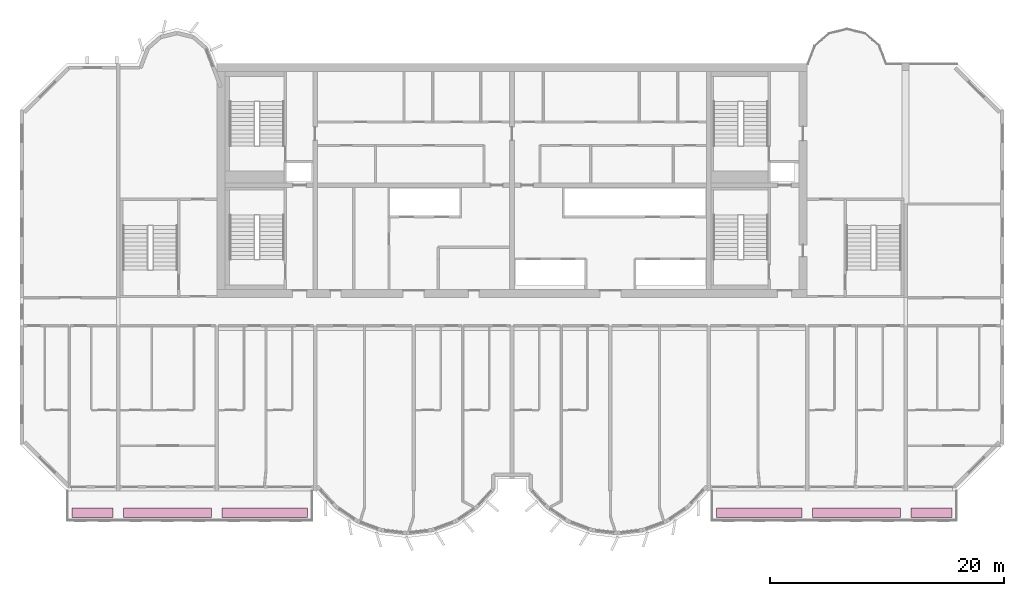
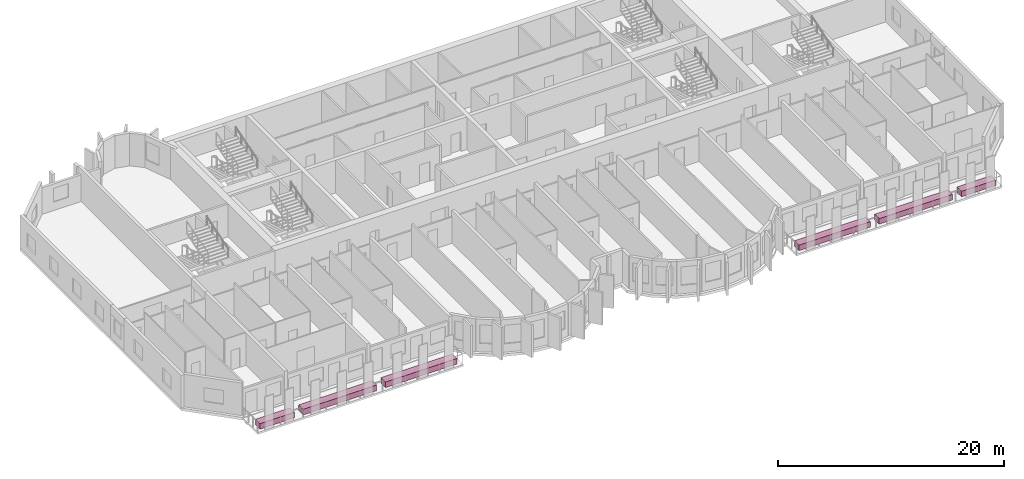
# One storey, part 13 of 13: 6 furniture elements.
"""IFC4 building model written with IfcOpenShell, lengths in metres."""

import ifcopenshell
import ifcopenshell.guid

model = None  # the IFC model being written
_history = None  # IfcOwnerHistory: only IFC2X3 demands one
_inside = {}  # id of a spatial element -> (the spatial element, [elements in it])
_under = {}  # id of a project, library or spatial element -> (it, [spatial elements below it])
_declared = {}  # id of a project -> (the project, [libraries it declares])
_typed = {}  # id of a type object -> (the type object, [elements of that type])
_made_of = {}  # id of a material, layer set ... -> (it, [elements and type objects made of it])


def new_model(schema):
    """Start an empty IFC model of exactly this schema.

    Asked for "IFC4X3", IfcOpenShell would pick the latest addendum, in which some entities
    have other attributes; the version numbers below select the first issue.
    IFC2X3 requires an IfcOwnerHistory on every rooted entity: one is made here for all.
    """
    global model, _history
    if schema == "IFC4X3":
        model = ifcopenshell.file(schema_version=(4, 3, 0, 0))
    else:
        model = ifcopenshell.file(schema=schema)
    _inside.clear()
    _under.clear()
    _declared.clear()
    _typed.clear()
    _made_of.clear()
    _history = None
    if model.schema == "IFC2X3":
        org = make("IfcOrganization", Name="unknown")
        user = make(
            "IfcPersonAndOrganization",
            ThePerson=make("IfcPerson", FamilyName="unknown"),
            TheOrganization=org,
        )
        app = make(
            "IfcApplication",
            ApplicationDeveloper=org,
            Version="unknown",
            ApplicationFullName="unknown",
            ApplicationIdentifier="unknown",
        )
        _history = make(
            "IfcOwnerHistory",
            OwningUser=user,
            OwningApplication=app,
            ChangeAction="ADDED",
            CreationDate=0,
        )
    return model


def make(cls, **values):
    """One entity of the class cls with the attributes given. An attribute that is None is left unset."""
    return model.create_entity(
        cls, **{name: value for name, value in values.items() if value is not None}
    )


def rooted(cls, **values):
    """An entity with a GlobalId (a new one), such as an element, a storey or a relation."""
    return make(cls, GlobalId=ifcopenshell.guid.new(), OwnerHistory=_history, **values)


def si_unit(unit_type, name, prefix=None):
    """IfcSIUnit, for example si_unit("LENGTHUNIT", "METRE", prefix="MILLI")."""
    return make("IfcSIUnit", UnitType=unit_type, Prefix=prefix, Name=name)


def assignment(units):
    """IfcUnitAssignment: the units of a project."""
    return None if units is None else make("IfcUnitAssignment", Units=units)


def point(xyz):
    """IfcCartesianPoint."""
    return None if xyz is None else make("IfcCartesianPoint", Coordinates=xyz)


def direction(xyz):
    """IfcDirection."""
    return None if xyz is None else make("IfcDirection", DirectionRatios=xyz)


def frame(location, z_axis=None, x_axis=None):
    """IfcAxis2Placement3D, a coordinate frame: its origin and axes. An axis left out is left unset."""
    return make(
        "IfcAxis2Placement3D",
        Location=point(location),
        Axis=direction(z_axis),
        RefDirection=direction(x_axis),
    )


def frame_2d(location, x_axis=None):
    """IfcAxis2Placement2D, a coordinate frame in the plane: its origin and x axis."""
    return make(
        "IfcAxis2Placement2D", Location=point(location), RefDirection=direction(x_axis)
    )


def origin():
    """The frame at (0, 0, 0) with its axes left unset."""
    return frame((0.0, 0.0, 0.0))


def origin_2d():
    """The frame at (0, 0) in the plane with its x axis left unset."""
    return frame_2d((0.0, 0.0))


def place(relative_to, where):
    """IfcLocalPlacement: puts the frame where relative to a parent placement (None: the world)."""
    return make(
        "IfcLocalPlacement", PlacementRelTo=relative_to, RelativePlacement=where
    )


def context(
    kind, dimensions, precision=None, world=None, true_north=None, identifier=None
):
    """IfcGeometricRepresentationContext, for example the 3D "Model" context."""
    return make(
        "IfcGeometricRepresentationContext",
        ContextIdentifier=identifier,
        ContextType=kind,
        CoordinateSpaceDimension=dimensions,
        Precision=precision,
        WorldCoordinateSystem=world,
        TrueNorth=true_north,
    )


def subcontext(parent, identifier, kind, view, scale=None):
    """IfcGeometricRepresentationSubContext, for example "Body" below "Model"."""
    return make(
        "IfcGeometricRepresentationSubContext",
        ContextIdentifier=identifier,
        ContextType=kind,
        ParentContext=parent,
        TargetScale=scale,
        TargetView=view,
    )


def project(units=None, contexts=None):
    """IfcProject with its units and contexts."""
    return rooted(
        "IfcProject",
        Name="project",
        RepresentationContexts=contexts,
        UnitsInContext=assignment(units),
    )


def spatial(cls, under=None, at=None, **own):
    """A site, building, storey or space (cls), placed at a placement, below another one or the project."""
    s = rooted(cls, ObjectPlacement=at, **own)
    if under is not None:
        _under.setdefault(under.id(), (under, []))[1].append(s)
    return s


def profile(cls, at=None, kind="AREA", **sizes):
    """A parametric profile (cls). Its sizes go by their IFC names, for example OverallWidth=200.0."""
    return make(cls, ProfileType=kind, Position=at, **sizes)


def rectangle(**sizes):
    """IfcRectangleProfileDef."""
    return profile("IfcRectangleProfileDef", **sizes)


def extrude(swept, where, along, depth):
    """IfcExtrudedAreaSolid: the profile swept, set in the frame where, extruded along a direction by depth."""
    return make(
        "IfcExtrudedAreaSolid",
        SweptArea=swept,
        Position=where,
        ExtrudedDirection=direction(along),
        Depth=depth,
    )


def shape(context_of_items, identifier, shape_type, items):
    """IfcShapeRepresentation: the items that make up one representation, for example the "Body"."""
    return make(
        "IfcShapeRepresentation",
        ContextOfItems=context_of_items,
        RepresentationIdentifier=identifier,
        RepresentationType=shape_type,
        Items=items,
    )


def source(mapping_origin, context_of_items, identifier, shape_type, items):
    """IfcRepresentationMap: a shape defined once, which mapped items show again and again."""
    return make(
        "IfcRepresentationMap",
        MappingOrigin=mapping_origin,
        MappedRepresentation=shape(context_of_items, identifier, shape_type, items),
    )


def transform(
    local_origin,
    x_axis=None,
    y_axis=None,
    z_axis=None,
    scale=None,
    scale2=None,
    scale3=None,
    uniform=True,
):
    """IfcCartesianTransformationOperator3D, or its non-uniform kind. x_axis, y_axis, z_axis: its Axis1, 2, 3."""
    if uniform:
        return make(
            "IfcCartesianTransformationOperator3D",
            Axis1=direction(x_axis),
            Axis2=direction(y_axis),
            LocalOrigin=point(local_origin),
            Scale=scale,
            Axis3=direction(z_axis),
        )
    return make(
        "IfcCartesianTransformationOperator3DnonUniform",
        Axis1=direction(x_axis),
        Axis2=direction(y_axis),
        LocalOrigin=point(local_origin),
        Scale=scale,
        Axis3=direction(z_axis),
        Scale2=scale2,
        Scale3=scale3,
    )


def mapped(mapping_source, mapping_target):
    """IfcMappedItem: shows the shape of a source again, moved by a transform."""
    return make(
        "IfcMappedItem", MappingSource=mapping_source, MappingTarget=mapping_target
    )


def material(Name=None, Category=None):
    """IfcMaterial."""
    return make("IfcMaterial", Name=Name, Category=Category)


def made_of(thing, what):
    """Note that an element or type object is made of a material, layer set ...; save() writes the relation."""
    if what is not None:
        _made_of.setdefault(what.id(), (what, []))[1].append(thing)
    return thing


def type_object(cls, material=None, **own):
    """A type object (cls), such as IfcWallType, which elements share."""
    return made_of(rooted(cls, **own), material)


def element(
    cls,
    number,
    at=None,
    inside=None,
    cuts=None,
    type_object=None,
    material=None,
    context=None,
    identifier="Body",
    shape_type=None,
    held_by="IfcProductDefinitionShape",
    body=None,
    shapes=None,
    **own,
):
    """One element of the class cls, such as IfcWall. Its Tag is "e" and its number.

    at: its placement. inside: the storey or other place that contains it. cuts: it is an
    opening in that element (IfcRelVoidsElement). A single representation is given by context,
    identifier, shape_type and body (its items); several are given by shapes. held_by: the class
    of the entity that holds the representations. save() writes the other relations.
    """
    e = rooted(cls, Tag="e%d" % number, ObjectPlacement=at, **own)
    if body is not None:
        shapes = [shape(context, identifier, shape_type, body)]
    if shapes is not None:
        e.Representation = make(held_by, Representations=shapes)
    if inside is not None:
        _inside.setdefault(inside.id(), (inside, []))[1].append(e)
    if cuts is not None:
        rooted(
            "IfcRelVoidsElement", RelatingBuildingElement=cuts, RelatedOpeningElement=e
        )
    if type_object is not None:
        _typed.setdefault(type_object.id(), (type_object, []))[1].append(e)
    return made_of(e, material)


def aggregate(whole, parts):
    """IfcRelAggregates: a whole, such as a stair, and the parts it consists of."""
    return rooted("IfcRelAggregates", RelatingObject=whole, RelatedObjects=parts)


def save(model, path):
    """Write the relations noted so far, then the file.

    IfcRelAggregates (storeys below a building ...), IfcRelContainedInSpatialStructure (elements
    in a storey), IfcRelDefinesByType, IfcRelAssociatesMaterial and IfcRelDeclares: one each for
    every whole, place, type object, material and project.
    """
    for whole, parts in _under.values():
        aggregate(whole, parts)
    for where, things in _inside.values():
        rooted(
            "IfcRelContainedInSpatialStructure",
            RelatedElements=things,
            RelatingStructure=where,
        )
    for kind, things in _typed.values():
        rooted("IfcRelDefinesByType", RelatedObjects=things, RelatingType=kind)
    for what, things in _made_of.values():
        rooted("IfcRelAssociatesMaterial", RelatedObjects=things, RelatingMaterial=what)
    for by, libraries in _declared.values():
        rooted("IfcRelDeclares", RelatingContext=by, RelatedDefinitions=libraries)
    model.write(path)


model = new_model("IFC4")

# Units and contexts
model_context = context("Model", 3, precision=1e-05, world=origin(), true_north=direction((0.0, 1.0)))
body_context = subcontext(model_context, "Body", "Model", "MODEL_VIEW")
ifc_project = project(units=[si_unit("LENGTHUNIT", "METRE"), si_unit("AREAUNIT", "SQUARE_METRE"), si_unit("VOLUMEUNIT", "CUBIC_METRE"), si_unit("PLANEANGLEUNIT", "RADIAN"), si_unit("MASSUNIT", "GRAM", prefix="KILO")], contexts=[model_context])

# Site, building, storey
site_placement = place(None, origin())
site = spatial("IfcSite", under=ifc_project, at=site_placement, CompositionType="ELEMENT")
building_placement = place(site_placement, origin())
building = spatial("IfcBuilding", under=site, at=building_placement, Name="Vanashikhar Sky Hotel", CompositionType="ELEMENT")
storey_placement = place(building_placement, frame((0.0, 0.0, 170.60009765625)))
storey = spatial("IfcBuildingStorey", under=building, at=storey_placement, Name="L41", CompositionType="ELEMENT", Elevation=170.60009765625)

# Furniture
ifc_material = material(Name="Planting soil and shrubs")
furniture_type = type_object("IfcFurnitureType", Name="Planter trough", AssemblyPlace="NOTDEFINED", PredefinedType="USERDEFINED", material=ifc_material)
shared_shape_1 = source(origin(), body_context, "Body", "SweptSolid", [
    extrude(rectangle(XDim=3.5, YDim=0.800048828125, at=origin_2d()), origin(), (0.0, 0.0, 1.0), 0.60009765625),
])
for number, where, z_axis, x_axis, name in (
    (1, (14.60009765625, 3.64990234375, -0.050048828125), (0.0, 0.0, 1.0), (1.0, 0.0, 0.0), "PLANTER with climbers"),
    (2, (86.199951171875, 3.64990234375, -0.050048828125), (0.0, 0.0, 1.0), (1.0, 0.0, 0.0), "PLANTER with climbers"),
):
    element("IfcFurniture", number, at=place(storey_placement, frame(where, z_axis=z_axis, x_axis=x_axis)), inside=storey, type_object=furniture_type, Name=name, ObjectType="PLANTER", PredefinedType="USERDEFINED", context=body_context, shape_type="MappedRepresentation", body=[
        mapped(shared_shape_1, transform((0.0, 0.0, 0.0), scale=1.0)),
    ])
shared_shape_2 = source(origin(), body_context, "Body", "SweptSolid", [
    extrude(rectangle(XDim=7.5, YDim=0.800048828125, at=origin_2d()), origin(), (0.0, 0.0, 1.0), 0.60009765625),
])
for number, where, z_axis, x_axis, name in (
    (3, (21.0, 3.64990234375, -0.050048828125), (0.0, 0.0, 1.0), (1.0, 0.0, 0.0), "PLANTER with climbers"),
    (4, (79.800048828125, 3.64990234375, -0.050048828125), (0.0, 0.0, 1.0), (1.0, 0.0, 0.0), "PLANTER with climbers"),
):
    element("IfcFurniture", number, at=place(storey_placement, frame(where, z_axis=z_axis, x_axis=x_axis)), inside=storey, type_object=furniture_type, Name=name, ObjectType="PLANTER", PredefinedType="USERDEFINED", context=body_context, shape_type="MappedRepresentation", body=[
        mapped(shared_shape_2, transform((0.0, 0.0, 0.0), scale=1.0)),
    ])
shared_shape_3 = source(origin(), body_context, "Body", "SweptSolid", [
    extrude(rectangle(XDim=7.300048828125, YDim=0.800048828125, at=origin_2d()), origin(), (0.0, 0.0, 1.0), 0.60009765625),
])
for number, where, z_axis, x_axis, name in (
    (5, (29.300048828125, 3.64990234375, -0.050048828125), (0.0, 0.0, 1.0), (1.0, 0.0, 0.0), "PLANTER with climbers"),
    (6, (71.5, 3.64990234375, -0.050048828125), (0.0, 0.0, 1.0), (1.0, 0.0, 0.0), "PLANTER with climbers"),
):
    element("IfcFurniture", number, at=place(storey_placement, frame(where, z_axis=z_axis, x_axis=x_axis)), inside=storey, type_object=furniture_type, Name=name, ObjectType="PLANTER", PredefinedType="USERDEFINED", context=body_context, shape_type="MappedRepresentation", body=[
        mapped(shared_shape_3, transform((0.0, 0.0, 0.0), scale=1.0)),
    ])

save(model, "model.ifc")
